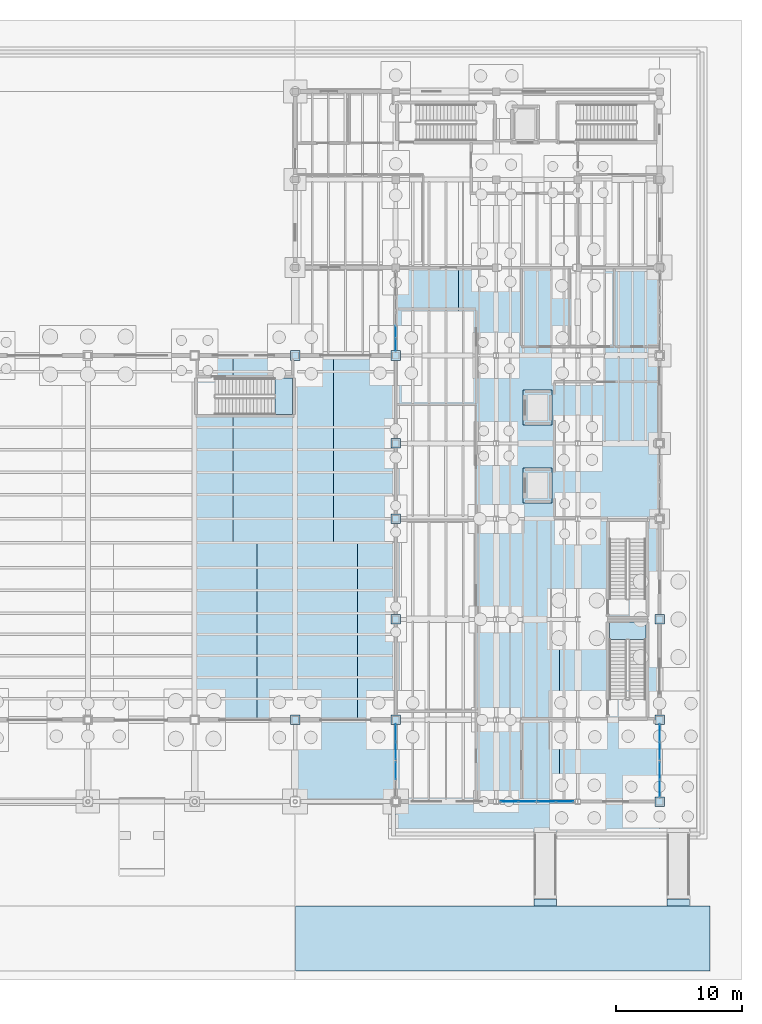
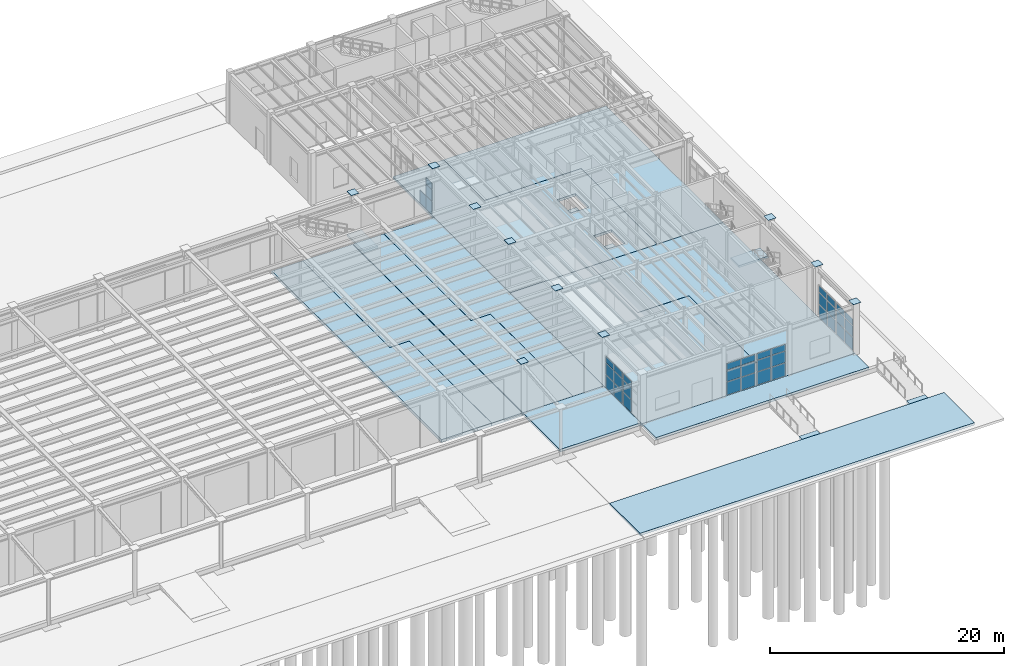
# One storey, part 53 of 86: 47 plates, 17 slabs, 9 elements without a shape of their own.
"""IFC4 building model written with IfcOpenShell, lengths in metres."""

import ifcopenshell
import ifcopenshell.guid

model = None  # the IFC model being written
_history = None  # IfcOwnerHistory: only IFC2X3 demands one
_inside = {}  # id of a spatial element -> (the spatial element, [elements in it])
_under = {}  # id of a project, library or spatial element -> (it, [spatial elements below it])
_declared = {}  # id of a project -> (the project, [libraries it declares])
_typed = {}  # id of a type object -> (the type object, [elements of that type])
_made_of = {}  # id of a material, layer set ... -> (it, [elements and type objects made of it])


def new_model(schema):
    """Start an empty IFC model of exactly this schema.

    Asked for "IFC4X3", IfcOpenShell would pick the latest addendum, in which some entities
    have other attributes; the version numbers below select the first issue.
    IFC2X3 requires an IfcOwnerHistory on every rooted entity: one is made here for all.
    """
    global model, _history
    if schema == "IFC4X3":
        model = ifcopenshell.file(schema_version=(4, 3, 0, 0))
    else:
        model = ifcopenshell.file(schema=schema)
    _inside.clear()
    _under.clear()
    _declared.clear()
    _typed.clear()
    _made_of.clear()
    _history = None
    if model.schema == "IFC2X3":
        org = make("IfcOrganization", Name="unknown")
        user = make(
            "IfcPersonAndOrganization",
            ThePerson=make("IfcPerson", FamilyName="unknown"),
            TheOrganization=org,
        )
        app = make(
            "IfcApplication",
            ApplicationDeveloper=org,
            Version="unknown",
            ApplicationFullName="unknown",
            ApplicationIdentifier="unknown",
        )
        _history = make(
            "IfcOwnerHistory",
            OwningUser=user,
            OwningApplication=app,
            ChangeAction="ADDED",
            CreationDate=0,
        )
    return model


def make(cls, **values):
    """One entity of the class cls with the attributes given. An attribute that is None is left unset."""
    return model.create_entity(
        cls, **{name: value for name, value in values.items() if value is not None}
    )


def rooted(cls, **values):
    """An entity with a GlobalId (a new one), such as an element, a storey or a relation."""
    return make(cls, GlobalId=ifcopenshell.guid.new(), OwnerHistory=_history, **values)


def si_unit(unit_type, name, prefix=None):
    """IfcSIUnit, for example si_unit("LENGTHUNIT", "METRE", prefix="MILLI")."""
    return make("IfcSIUnit", UnitType=unit_type, Prefix=prefix, Name=name)


def assignment(units):
    """IfcUnitAssignment: the units of a project."""
    return None if units is None else make("IfcUnitAssignment", Units=units)


def point(xyz):
    """IfcCartesianPoint."""
    return None if xyz is None else make("IfcCartesianPoint", Coordinates=xyz)


def direction(xyz):
    """IfcDirection."""
    return None if xyz is None else make("IfcDirection", DirectionRatios=xyz)


def frame(location, z_axis=None, x_axis=None):
    """IfcAxis2Placement3D, a coordinate frame: its origin and axes. An axis left out is left unset."""
    return make(
        "IfcAxis2Placement3D",
        Location=point(location),
        Axis=direction(z_axis),
        RefDirection=direction(x_axis),
    )


def frame_2d(location, x_axis=None):
    """IfcAxis2Placement2D, a coordinate frame in the plane: its origin and x axis."""
    return make(
        "IfcAxis2Placement2D", Location=point(location), RefDirection=direction(x_axis)
    )


def origin():
    """The frame at (0, 0, 0) with its axes left unset."""
    return frame((0.0, 0.0, 0.0))


def origin_2d():
    """The frame at (0, 0) in the plane with its x axis left unset."""
    return frame_2d((0.0, 0.0))


def place(relative_to, where):
    """IfcLocalPlacement: puts the frame where relative to a parent placement (None: the world)."""
    return make(
        "IfcLocalPlacement", PlacementRelTo=relative_to, RelativePlacement=where
    )


def context(
    kind, dimensions, precision=None, world=None, true_north=None, identifier=None
):
    """IfcGeometricRepresentationContext, for example the 3D "Model" context."""
    return make(
        "IfcGeometricRepresentationContext",
        ContextIdentifier=identifier,
        ContextType=kind,
        CoordinateSpaceDimension=dimensions,
        Precision=precision,
        WorldCoordinateSystem=world,
        TrueNorth=true_north,
    )


def subcontext(parent, identifier, kind, view, scale=None):
    """IfcGeometricRepresentationSubContext, for example "Body" below "Model"."""
    return make(
        "IfcGeometricRepresentationSubContext",
        ContextIdentifier=identifier,
        ContextType=kind,
        ParentContext=parent,
        TargetScale=scale,
        TargetView=view,
    )


def project(units=None, contexts=None):
    """IfcProject with its units and contexts."""
    return rooted(
        "IfcProject",
        Name="project",
        RepresentationContexts=contexts,
        UnitsInContext=assignment(units),
    )


def spatial(cls, under=None, at=None, **own):
    """A site, building, storey or space (cls), placed at a placement, below another one or the project."""
    s = rooted(cls, ObjectPlacement=at, **own)
    if under is not None:
        _under.setdefault(under.id(), (under, []))[1].append(s)
    return s


def polyline(points):
    """IfcPolyline through the points."""
    return make("IfcPolyline", Points=[point(p) for p in points])


def profile(cls, at=None, kind="AREA", **sizes):
    """A parametric profile (cls). Its sizes go by their IFC names, for example OverallWidth=200.0."""
    return make(cls, ProfileType=kind, Position=at, **sizes)


def rectangle(**sizes):
    """IfcRectangleProfileDef."""
    return profile("IfcRectangleProfileDef", **sizes)


def outline(outer, holes=None, kind="AREA"):
    """IfcArbitraryClosedProfileDef: a profile drawn as a closed curve; with holes, ...WithVoids."""
    if holes is None:
        return make("IfcArbitraryClosedProfileDef", ProfileType=kind, OuterCurve=outer)
    return make(
        "IfcArbitraryProfileDefWithVoids",
        ProfileType=kind,
        OuterCurve=outer,
        InnerCurves=holes,
    )


def extrude(swept, where, along, depth):
    """IfcExtrudedAreaSolid: the profile swept, set in the frame where, extruded along a direction by depth."""
    return make(
        "IfcExtrudedAreaSolid",
        SweptArea=swept,
        Position=where,
        ExtrudedDirection=direction(along),
        Depth=depth,
    )


def shape(context_of_items, identifier, shape_type, items):
    """IfcShapeRepresentation: the items that make up one representation, for example the "Body"."""
    return make(
        "IfcShapeRepresentation",
        ContextOfItems=context_of_items,
        RepresentationIdentifier=identifier,
        RepresentationType=shape_type,
        Items=items,
    )


def material(Name=None, Category=None):
    """IfcMaterial."""
    return make("IfcMaterial", Name=Name, Category=Category)


def layer(
    of_material, thickness, ventilated=None, Name=None, Category=None, Priority=None
):
    """IfcMaterialLayer: one layer of a wall or slab, of a material (None: an air gap)."""
    return make(
        "IfcMaterialLayer",
        Material=of_material,
        LayerThickness=thickness,
        IsVentilated=ventilated,
        Name=Name,
        Category=Category,
        Priority=Priority,
    )


def layer_set(layers, Name=None):
    """IfcMaterialLayerSet."""
    return make("IfcMaterialLayerSet", MaterialLayers=layers, LayerSetName=Name)


def material_profile(
    of_material, cross_section, Name=None, Category=None, Priority=None
):
    """IfcMaterialProfile: a cross section and its material."""
    return make(
        "IfcMaterialProfile",
        Name=Name,
        Material=of_material,
        Profile=cross_section,
        Priority=Priority,
        Category=Category,
    )


def profile_set(profiles, Name=None, composite=None):
    """IfcMaterialProfileSet."""
    return make(
        "IfcMaterialProfileSet",
        Name=Name,
        MaterialProfiles=profiles,
        CompositeProfile=composite,
    )


def made_of(thing, what):
    """Note that an element or type object is made of a material, layer set ...; save() writes the relation."""
    if what is not None:
        _made_of.setdefault(what.id(), (what, []))[1].append(thing)
    return thing


def type_object(cls, material=None, **own):
    """A type object (cls), such as IfcWallType, which elements share."""
    return made_of(rooted(cls, **own), material)


def element(
    cls,
    number,
    at=None,
    inside=None,
    cuts=None,
    type_object=None,
    material=None,
    context=None,
    identifier="Body",
    shape_type=None,
    held_by="IfcProductDefinitionShape",
    body=None,
    shapes=None,
    **own,
):
    """One element of the class cls, such as IfcWall. Its Tag is "e" and its number.

    at: its placement. inside: the storey or other place that contains it. cuts: it is an
    opening in that element (IfcRelVoidsElement). A single representation is given by context,
    identifier, shape_type and body (its items); several are given by shapes. held_by: the class
    of the entity that holds the representations. save() writes the other relations.
    """
    e = rooted(cls, Tag="e%d" % number, ObjectPlacement=at, **own)
    if body is not None:
        shapes = [shape(context, identifier, shape_type, body)]
    if shapes is not None:
        e.Representation = make(held_by, Representations=shapes)
    if inside is not None:
        _inside.setdefault(inside.id(), (inside, []))[1].append(e)
    if cuts is not None:
        rooted(
            "IfcRelVoidsElement", RelatingBuildingElement=cuts, RelatedOpeningElement=e
        )
    if type_object is not None:
        _typed.setdefault(type_object.id(), (type_object, []))[1].append(e)
    return made_of(e, material)


def aggregate(whole, parts):
    """IfcRelAggregates: a whole, such as a stair, and the parts it consists of."""
    return rooted("IfcRelAggregates", RelatingObject=whole, RelatedObjects=parts)


def save(model, path):
    """Write the relations noted so far, then the file.

    IfcRelAggregates (storeys below a building ...), IfcRelContainedInSpatialStructure (elements
    in a storey), IfcRelDefinesByType, IfcRelAssociatesMaterial and IfcRelDeclares: one each for
    every whole, place, type object, material and project.
    """
    for whole, parts in _under.values():
        aggregate(whole, parts)
    for where, things in _inside.values():
        rooted(
            "IfcRelContainedInSpatialStructure",
            RelatedElements=things,
            RelatingStructure=where,
        )
    for kind, things in _typed.values():
        rooted("IfcRelDefinesByType", RelatedObjects=things, RelatingType=kind)
    for what, things in _made_of.values():
        rooted("IfcRelAssociatesMaterial", RelatedObjects=things, RelatingMaterial=what)
    for by, libraries in _declared.values():
        rooted("IfcRelDeclares", RelatingContext=by, RelatedDefinitions=libraries)
    model.write(path)


model = new_model("IFC4")

# Units and contexts
model_context = context("Model", 3, precision=1e-05, world=origin(), true_north=direction((0.0, 1.0)))
body_context = subcontext(model_context, "Body", "Model", "MODEL_VIEW")
ifc_project = project(units=[si_unit("LENGTHUNIT", "METRE"), si_unit("AREAUNIT", "SQUARE_METRE"), si_unit("VOLUMEUNIT", "CUBIC_METRE"), si_unit("PLANEANGLEUNIT", "RADIAN"), si_unit("MASSUNIT", "GRAM", prefix="KILO"), si_unit("THERMODYNAMICTEMPERATUREUNIT", "KELVIN"), si_unit("POWERUNIT", "WATT")], contexts=[model_context])

# Site, building, storey
site_placement = place(None, origin())
site = spatial("IfcSite", under=ifc_project, at=site_placement, CompositionType="ELEMENT")
building_placement = place(site_placement, origin())
building = spatial("IfcBuilding", under=site, at=building_placement, Name="Zhenchuan Central Fire Station", CompositionType="ELEMENT")
storey_placement = place(building_placement, frame((0.0, 0.0, 0.449951171875)))
storey = spatial("IfcBuildingStorey", under=building, at=storey_placement, Name="L01", CompositionType="ELEMENT", Elevation=0.449951171875)

# Curtain wall, plates
ifc_material_1 = material(Name="Anodised aluminium and low-E glazing", Category="aluminium")
curtain_wall_type_1 = type_object("IfcCurtainWallType", Name="CW-MOD-02", PredefinedType="USERDEFINED", material=ifc_material_1)
curtain_wall_1_placement = place(storey_placement, origin())
curtain_wall_1 = element("IfcCurtainWall", 1, at=curtain_wall_1_placement, inside=storey, type_object=curtain_wall_type_1, Name="L01 Unitised Curtain Wall 072", ObjectType="UNITISED GLAZING", PredefinedType="USERDEFINED")
ifc_material_2 = material(Name="Laminated low-E double glazing", Category="glass")
ifc_layer_1 = layer(ifc_material_2, 0.011962890625, Name="Laminated low-E double glazing", Category="glass")
ifc_layer_set_1 = layer_set([ifc_layer_1], Name="Laminated low-E double glazing")
plate_type_1 = type_object("IfcPlateType", Name="CW-PNL12", PredefinedType="CURTAIN_PANEL", material=ifc_layer_set_1)
plate_1_placement = place(storey_placement, frame((149.044189453125, 0.0, 0.06103515625), z_axis=(0.0, 0.0, 1.0), x_axis=(1.0, 0.0, 0.0)))
plate_1 = element("IfcPlate", 2, at=plate_1_placement, type_object=plate_type_1, Name="CW-02 panel 1.1", PredefinedType="CURTAIN_PANEL", context=body_context, shape_type="SweptSolid", body=[
    extrude(rectangle(XDim=1.3583984375, YDim=0.011962890625, at=origin_2d()), origin(), (0.0, 0.0, 1.0), 1.33447265625),
])
plate_2_placement = place(storey_placement, frame((149.044189453125, 0.0, 1.46044921875), z_axis=(0.0, 0.0, 1.0), x_axis=(1.0, 0.0, 0.0)))
plate_2 = element("IfcPlate", 3, at=plate_2_placement, type_object=plate_type_1, Name="CW-02 panel 1.2", PredefinedType="CURTAIN_PANEL", context=body_context, shape_type="SweptSolid", body=[
    extrude(rectangle(XDim=1.3583984375, YDim=0.011962890625, at=origin_2d()), origin(), (0.0, 0.0, 1.0), 1.158935546875),
])
plate_3_placement = place(storey_placement, frame((149.044189453125, 0.0, 2.6845703125), z_axis=(0.0, 0.0, 1.0), x_axis=(1.0, 0.0, 0.0)))
plate_3 = element("IfcPlate", 4, at=plate_3_placement, type_object=plate_type_1, Name="CW-02 panel 1.3", PredefinedType="CURTAIN_PANEL", context=body_context, shape_type="SweptSolid", body=[
    extrude(rectangle(XDim=1.3583984375, YDim=0.011962890625, at=origin_2d()), origin(), (0.0, 0.0, 1.0), 0.650390625),
])
plate_4_placement = place(storey_placement, frame((150.4677734375, 0.0, 0.06103515625), z_axis=(0.0, 0.0, 1.0), x_axis=(1.0, 0.0, 0.0)))
plate_4 = element("IfcPlate", 5, at=plate_4_placement, type_object=plate_type_1, Name="CW-02 panel 2.1", PredefinedType="CURTAIN_PANEL", context=body_context, shape_type="SweptSolid", body=[
    extrude(rectangle(XDim=1.3583984375, YDim=0.011962890625, at=origin_2d()), origin(), (0.0, 0.0, 1.0), 1.33447265625),
])
plate_5_placement = place(storey_placement, frame((150.4677734375, 0.0, 1.46044921875), z_axis=(0.0, 0.0, 1.0), x_axis=(1.0, 0.0, 0.0)))
plate_5 = element("IfcPlate", 6, at=plate_5_placement, type_object=plate_type_1, Name="CW-02 panel 2.2", PredefinedType="CURTAIN_PANEL", context=body_context, shape_type="SweptSolid", body=[
    extrude(rectangle(XDim=1.3583984375, YDim=0.011962890625, at=origin_2d()), origin(), (0.0, 0.0, 1.0), 1.158935546875),
])
plate_6_placement = place(storey_placement, frame((150.4677734375, 0.0, 2.6845703125), z_axis=(0.0, 0.0, 1.0), x_axis=(1.0, 0.0, 0.0)))
plate_6 = element("IfcPlate", 7, at=plate_6_placement, type_object=plate_type_1, Name="CW-02 panel 2.3", PredefinedType="CURTAIN_PANEL", context=body_context, shape_type="SweptSolid", body=[
    extrude(rectangle(XDim=1.3583984375, YDim=0.011962890625, at=origin_2d()), origin(), (0.0, 0.0, 1.0), 0.650390625),
])
aggregate(curtain_wall_1, [plate_1, plate_2, plate_3, plate_4, plate_5, plate_6])

curtain_wall_type_2 = type_object("IfcCurtainWallType", Name="CW-MOD-03", PredefinedType="USERDEFINED", material=ifc_material_1)
curtain_wall_2_placement = place(storey_placement, origin())
curtain_wall_2 = element("IfcCurtainWall", 8, at=curtain_wall_2_placement, inside=storey, type_object=curtain_wall_type_2, Name="L01 Unitised Curtain Wall 073", ObjectType="UNITISED GLAZING", PredefinedType="USERDEFINED")
plate_7_placement = place(storey_placement, frame((152.0322265625, 0.0, 0.06103515625), z_axis=(0.0, 0.0, 1.0), x_axis=(1.0, 0.0, 0.0)))
plate_7 = element("IfcPlate", 9, at=plate_7_placement, type_object=plate_type_1, Name="CW-03 panel 1.1", PredefinedType="CURTAIN_PANEL", context=body_context, shape_type="SweptSolid", body=[
    extrude(rectangle(XDim=1.3583984375, YDim=0.011962890625, at=origin_2d()), origin(), (0.0, 0.0, 1.0), 1.33447265625),
])
plate_8_placement = place(storey_placement, frame((152.0322265625, 0.0, 1.46044921875), z_axis=(0.0, 0.0, 1.0), x_axis=(1.0, 0.0, 0.0)))
plate_8 = element("IfcPlate", 10, at=plate_8_placement, type_object=plate_type_1, Name="CW-03 panel 1.2", PredefinedType="CURTAIN_PANEL", context=body_context, shape_type="SweptSolid", body=[
    extrude(rectangle(XDim=1.3583984375, YDim=0.011962890625, at=origin_2d()), origin(), (0.0, 0.0, 1.0), 1.158935546875),
])
plate_9_placement = place(storey_placement, frame((152.0322265625, 0.0, 2.6845703125), z_axis=(0.0, 0.0, 1.0), x_axis=(1.0, 0.0, 0.0)))
plate_9 = element("IfcPlate", 11, at=plate_9_placement, type_object=plate_type_1, Name="CW-03 panel 1.3", PredefinedType="CURTAIN_PANEL", context=body_context, shape_type="SweptSolid", body=[
    extrude(rectangle(XDim=1.3583984375, YDim=0.011962890625, at=origin_2d()), origin(), (0.0, 0.0, 1.0), 0.650390625),
])
plate_10_placement = place(storey_placement, frame((153.455810546875, 0.0, 0.06103515625), z_axis=(0.0, 0.0, 1.0), x_axis=(1.0, 0.0, 0.0)))
plate_10 = element("IfcPlate", 12, at=plate_10_placement, type_object=plate_type_1, Name="CW-03 panel 2.1", PredefinedType="CURTAIN_PANEL", context=body_context, shape_type="SweptSolid", body=[
    extrude(rectangle(XDim=1.3583984375, YDim=0.011962890625, at=origin_2d()), origin(), (0.0, 0.0, 1.0), 1.33447265625),
])
plate_11_placement = place(storey_placement, frame((153.455810546875, 0.0, 1.46044921875), z_axis=(0.0, 0.0, 1.0), x_axis=(1.0, 0.0, 0.0)))
plate_11 = element("IfcPlate", 13, at=plate_11_placement, type_object=plate_type_1, Name="CW-03 panel 2.2", PredefinedType="CURTAIN_PANEL", context=body_context, shape_type="SweptSolid", body=[
    extrude(rectangle(XDim=1.3583984375, YDim=0.011962890625, at=origin_2d()), origin(), (0.0, 0.0, 1.0), 1.158935546875),
])
plate_12_placement = place(storey_placement, frame((153.455810546875, 0.0, 2.6845703125), z_axis=(0.0, 0.0, 1.0), x_axis=(1.0, 0.0, 0.0)))
plate_12 = element("IfcPlate", 14, at=plate_12_placement, type_object=plate_type_1, Name="CW-03 panel 2.3", PredefinedType="CURTAIN_PANEL", context=body_context, shape_type="SweptSolid", body=[
    extrude(rectangle(XDim=1.3583984375, YDim=0.011962890625, at=origin_2d()), origin(), (0.0, 0.0, 1.0), 0.650390625),
])
aggregate(curtain_wall_2, [plate_7, plate_8, plate_9, plate_10, plate_11, plate_12])

curtain_wall_type_3 = type_object("IfcCurtainWallType", Name="CW-MOD-01", PredefinedType="USERDEFINED", material=ifc_material_1)
curtain_wall_3_placement = place(storey_placement, origin())
curtain_wall_3 = element("IfcCurtainWall", 15, at=curtain_wall_3_placement, inside=storey, type_object=curtain_wall_type_3, Name="L01 Unitised Curtain Wall 074", ObjectType="UNITISED GLAZING", PredefinedType="USERDEFINED")
plate_13_placement = place(storey_placement, frame((161.0, 1.044189453125, 0.06103515625), z_axis=(0.0, 0.0, 1.0), x_axis=(0.0, 1.0, 0.0)))
plate_13 = element("IfcPlate", 16, at=plate_13_placement, type_object=plate_type_1, Name="CW-01 panel 1.1", PredefinedType="CURTAIN_PANEL", context=body_context, shape_type="SweptSolid", body=[
    extrude(rectangle(XDim=1.3583984375, YDim=0.011962890625, at=origin_2d()), origin(), (0.0, 0.0, 1.0), 1.33447265625),
])
plate_14_placement = place(storey_placement, frame((161.0, 1.044189453125, 1.46044921875), z_axis=(0.0, 0.0, 1.0), x_axis=(0.0, 1.0, 0.0)))
plate_14 = element("IfcPlate", 17, at=plate_14_placement, type_object=plate_type_1, Name="CW-01 panel 1.2", PredefinedType="CURTAIN_PANEL", context=body_context, shape_type="SweptSolid", body=[
    extrude(rectangle(XDim=1.3583984375, YDim=0.011962890625, at=origin_2d()), origin(), (0.0, 0.0, 1.0), 1.158935546875),
])
plate_15_placement = place(storey_placement, frame((161.0, 1.044189453125, 2.6845703125), z_axis=(0.0, 0.0, 1.0), x_axis=(0.0, 1.0, 0.0)))
plate_15 = element("IfcPlate", 18, at=plate_15_placement, type_object=plate_type_1, Name="CW-01 panel 1.3", PredefinedType="CURTAIN_PANEL", context=body_context, shape_type="SweptSolid", body=[
    extrude(rectangle(XDim=1.3583984375, YDim=0.011962890625, at=origin_2d()), origin(), (0.0, 0.0, 1.0), 0.650390625),
])
plate_16_placement = place(storey_placement, frame((161.0, 2.4677734375, 0.06103515625), z_axis=(0.0, 0.0, 1.0), x_axis=(0.0, 1.0, 0.0)))
plate_16 = element("IfcPlate", 19, at=plate_16_placement, type_object=plate_type_1, Name="CW-01 panel 2.1", PredefinedType="CURTAIN_PANEL", context=body_context, shape_type="SweptSolid", body=[
    extrude(rectangle(XDim=1.3583984375, YDim=0.011962890625, at=origin_2d()), origin(), (0.0, 0.0, 1.0), 1.33447265625),
])
plate_17_placement = place(storey_placement, frame((161.0, 2.4677734375, 1.46044921875), z_axis=(0.0, 0.0, 1.0), x_axis=(0.0, 1.0, 0.0)))
plate_17 = element("IfcPlate", 20, at=plate_17_placement, type_object=plate_type_1, Name="CW-01 panel 2.2", PredefinedType="CURTAIN_PANEL", context=body_context, shape_type="SweptSolid", body=[
    extrude(rectangle(XDim=1.3583984375, YDim=0.011962890625, at=origin_2d()), origin(), (0.0, 0.0, 1.0), 1.158935546875),
])
plate_18_placement = place(storey_placement, frame((161.0, 2.4677734375, 2.6845703125), z_axis=(0.0, 0.0, 1.0), x_axis=(0.0, 1.0, 0.0)))
plate_18 = element("IfcPlate", 21, at=plate_18_placement, type_object=plate_type_1, Name="CW-01 panel 2.3", PredefinedType="CURTAIN_PANEL", context=body_context, shape_type="SweptSolid", body=[
    extrude(rectangle(XDim=1.3583984375, YDim=0.011962890625, at=origin_2d()), origin(), (0.0, 0.0, 1.0), 0.650390625),
])
aggregate(curtain_wall_3, [plate_13, plate_14, plate_15, plate_16, plate_17, plate_18])

curtain_wall_4_placement = place(storey_placement, origin())
curtain_wall_4 = element("IfcCurtainWall", 22, at=curtain_wall_4_placement, inside=storey, type_object=curtain_wall_type_1, Name="L01 Unitised Curtain Wall 075", ObjectType="UNITISED GLAZING", PredefinedType="USERDEFINED")
plate_19_placement = place(storey_placement, frame((161.0, 4.0322265625, 0.06103515625), z_axis=(0.0, 0.0, 1.0), x_axis=(0.0, 1.0, 0.0)))
plate_19 = element("IfcPlate", 23, at=plate_19_placement, type_object=plate_type_1, Name="CW-02 panel 1.1", PredefinedType="CURTAIN_PANEL", context=body_context, shape_type="SweptSolid", body=[
    extrude(rectangle(XDim=1.3583984375, YDim=0.011962890625, at=origin_2d()), origin(), (0.0, 0.0, 1.0), 1.33447265625),
])
plate_20_placement = place(storey_placement, frame((161.0, 4.0322265625, 1.46044921875), z_axis=(0.0, 0.0, 1.0), x_axis=(0.0, 1.0, 0.0)))
plate_20 = element("IfcPlate", 24, at=plate_20_placement, type_object=plate_type_1, Name="CW-02 panel 1.2", PredefinedType="CURTAIN_PANEL", context=body_context, shape_type="SweptSolid", body=[
    extrude(rectangle(XDim=1.3583984375, YDim=0.011962890625, at=origin_2d()), origin(), (0.0, 0.0, 1.0), 1.158935546875),
])
plate_21_placement = place(storey_placement, frame((161.0, 4.0322265625, 2.6845703125), z_axis=(0.0, 0.0, 1.0), x_axis=(0.0, 1.0, 0.0)))
plate_21 = element("IfcPlate", 25, at=plate_21_placement, type_object=plate_type_1, Name="CW-02 panel 1.3", PredefinedType="CURTAIN_PANEL", context=body_context, shape_type="SweptSolid", body=[
    extrude(rectangle(XDim=1.3583984375, YDim=0.011962890625, at=origin_2d()), origin(), (0.0, 0.0, 1.0), 0.650390625),
])
plate_22_placement = place(storey_placement, frame((161.0, 5.455810546875, 0.06103515625), z_axis=(0.0, 0.0, 1.0), x_axis=(0.0, 1.0, 0.0)))
plate_22 = element("IfcPlate", 26, at=plate_22_placement, type_object=plate_type_1, Name="CW-02 panel 2.1", PredefinedType="CURTAIN_PANEL", context=body_context, shape_type="SweptSolid", body=[
    extrude(rectangle(XDim=1.3583984375, YDim=0.011962890625, at=origin_2d()), origin(), (0.0, 0.0, 1.0), 1.33447265625),
])
plate_23_placement = place(storey_placement, frame((161.0, 5.455810546875, 1.46044921875), z_axis=(0.0, 0.0, 1.0), x_axis=(0.0, 1.0, 0.0)))
plate_23 = element("IfcPlate", 27, at=plate_23_placement, type_object=plate_type_1, Name="CW-02 panel 2.2", PredefinedType="CURTAIN_PANEL", context=body_context, shape_type="SweptSolid", body=[
    extrude(rectangle(XDim=1.3583984375, YDim=0.011962890625, at=origin_2d()), origin(), (0.0, 0.0, 1.0), 1.158935546875),
])
plate_24_placement = place(storey_placement, frame((161.0, 5.455810546875, 2.6845703125), z_axis=(0.0, 0.0, 1.0), x_axis=(0.0, 1.0, 0.0)))
plate_24 = element("IfcPlate", 28, at=plate_24_placement, type_object=plate_type_1, Name="CW-02 panel 2.3", PredefinedType="CURTAIN_PANEL", context=body_context, shape_type="SweptSolid", body=[
    extrude(rectangle(XDim=1.3583984375, YDim=0.011962890625, at=origin_2d()), origin(), (0.0, 0.0, 1.0), 0.650390625),
])
aggregate(curtain_wall_4, [plate_19, plate_20, plate_21, plate_22, plate_23, plate_24])

curtain_wall_type_4 = type_object("IfcCurtainWallType", Name="CW-MOD-09", PredefinedType="USERDEFINED", material=ifc_material_1)
curtain_wall_5_placement = place(storey_placement, origin())
curtain_wall_5 = element("IfcCurtainWall", 29, at=curtain_wall_5_placement, inside=storey, type_object=curtain_wall_type_4, Name="L01 Unitised Curtain Wall 080", ObjectType="UNITISED GLAZING", PredefinedType="USERDEFINED")
plate_25_placement = place(storey_placement, frame((140.0, 2.4677734375, 0.06103515625), z_axis=(0.0, 0.0, 1.0), x_axis=(0.0, 1.0, 0.0)))
plate_25 = element("IfcPlate", 30, at=plate_25_placement, type_object=plate_type_1, Name="CW-09 panel 2.1", PredefinedType="CURTAIN_PANEL", context=body_context, shape_type="SweptSolid", body=[
    extrude(rectangle(XDim=1.3583984375, YDim=0.011962890625, at=origin_2d()), origin(), (0.0, 0.0, 1.0), 1.33447265625),
])
plate_26_placement = place(storey_placement, frame((140.0, 2.4677734375, 1.46044921875), z_axis=(0.0, 0.0, 1.0), x_axis=(0.0, 1.0, 0.0)))
plate_26 = element("IfcPlate", 31, at=plate_26_placement, type_object=plate_type_1, Name="CW-09 panel 2.2", PredefinedType="CURTAIN_PANEL", context=body_context, shape_type="SweptSolid", body=[
    extrude(rectangle(XDim=1.3583984375, YDim=0.011962890625, at=origin_2d()), origin(), (0.0, 0.0, 1.0), 1.158935546875),
])
plate_27_placement = place(storey_placement, frame((140.0, 2.4677734375, 2.6845703125), z_axis=(0.0, 0.0, 1.0), x_axis=(0.0, 1.0, 0.0)))
plate_27 = element("IfcPlate", 32, at=plate_27_placement, type_object=plate_type_1, Name="CW-09 panel 2.3", PredefinedType="CURTAIN_PANEL", context=body_context, shape_type="SweptSolid", body=[
    extrude(rectangle(XDim=1.3583984375, YDim=0.011962890625, at=origin_2d()), origin(), (0.0, 0.0, 1.0), 0.650390625),
])
aggregate(curtain_wall_5, [plate_25, plate_26, plate_27])

curtain_wall_type_5 = type_object("IfcCurtainWallType", Name="CW-MOD-10", PredefinedType="USERDEFINED", material=ifc_material_1)
curtain_wall_6_placement = place(storey_placement, origin())
curtain_wall_6 = element("IfcCurtainWall", 33, at=curtain_wall_6_placement, inside=storey, type_object=curtain_wall_type_5, Name="L01 Unitised Curtain Wall 081", ObjectType="UNITISED GLAZING", PredefinedType="USERDEFINED")
plate_28_placement = place(storey_placement, frame((140.0, 4.0322265625, 0.06103515625), z_axis=(0.0, 0.0, 1.0), x_axis=(0.0, 1.0, 0.0)))
plate_28 = element("IfcPlate", 34, at=plate_28_placement, type_object=plate_type_1, Name="CW-10 panel 1.1", PredefinedType="CURTAIN_PANEL", context=body_context, shape_type="SweptSolid", body=[
    extrude(rectangle(XDim=1.3583984375, YDim=0.011962890625, at=origin_2d()), origin(), (0.0, 0.0, 1.0), 1.33447265625),
])
plate_29_placement = place(storey_placement, frame((140.0, 4.0322265625, 1.46044921875), z_axis=(0.0, 0.0, 1.0), x_axis=(0.0, 1.0, 0.0)))
plate_29 = element("IfcPlate", 35, at=plate_29_placement, type_object=plate_type_1, Name="CW-10 panel 1.2", PredefinedType="CURTAIN_PANEL", context=body_context, shape_type="SweptSolid", body=[
    extrude(rectangle(XDim=1.3583984375, YDim=0.011962890625, at=origin_2d()), origin(), (0.0, 0.0, 1.0), 1.158935546875),
])
plate_30_placement = place(storey_placement, frame((140.0, 4.0322265625, 2.6845703125), z_axis=(0.0, 0.0, 1.0), x_axis=(0.0, 1.0, 0.0)))
plate_30 = element("IfcPlate", 36, at=plate_30_placement, type_object=plate_type_1, Name="CW-10 panel 1.3", PredefinedType="CURTAIN_PANEL", context=body_context, shape_type="SweptSolid", body=[
    extrude(rectangle(XDim=1.3583984375, YDim=0.011962890625, at=origin_2d()), origin(), (0.0, 0.0, 1.0), 0.650390625),
])
plate_31_placement = place(storey_placement, frame((140.0, 5.455810546875, 0.06103515625), z_axis=(0.0, 0.0, 1.0), x_axis=(0.0, 1.0, 0.0)))
plate_31 = element("IfcPlate", 37, at=plate_31_placement, type_object=plate_type_1, Name="CW-10 panel 2.1", PredefinedType="CURTAIN_PANEL", context=body_context, shape_type="SweptSolid", body=[
    extrude(rectangle(XDim=1.3583984375, YDim=0.011962890625, at=origin_2d()), origin(), (0.0, 0.0, 1.0), 1.33447265625),
])
plate_32_placement = place(storey_placement, frame((140.0, 5.455810546875, 1.46044921875), z_axis=(0.0, 0.0, 1.0), x_axis=(0.0, 1.0, 0.0)))
plate_32 = element("IfcPlate", 38, at=plate_32_placement, type_object=plate_type_1, Name="CW-10 panel 2.2", PredefinedType="CURTAIN_PANEL", context=body_context, shape_type="SweptSolid", body=[
    extrude(rectangle(XDim=1.3583984375, YDim=0.011962890625, at=origin_2d()), origin(), (0.0, 0.0, 1.0), 1.158935546875),
])
plate_33_placement = place(storey_placement, frame((140.0, 5.455810546875, 2.6845703125), z_axis=(0.0, 0.0, 1.0), x_axis=(0.0, 1.0, 0.0)))
plate_33 = element("IfcPlate", 39, at=plate_33_placement, type_object=plate_type_1, Name="CW-10 panel 2.3", PredefinedType="CURTAIN_PANEL", context=body_context, shape_type="SweptSolid", body=[
    extrude(rectangle(XDim=1.3583984375, YDim=0.011962890625, at=origin_2d()), origin(), (0.0, 0.0, 1.0), 0.650390625),
])
aggregate(curtain_wall_6, [plate_28, plate_29, plate_30, plate_31, plate_32, plate_33])

curtain_wall_7_placement = place(storey_placement, origin())
curtain_wall_7 = element("IfcCurtainWall", 40, at=curtain_wall_7_placement, inside=storey, type_object=curtain_wall_type_5, Name="L01 Unitised Curtain Wall 082", ObjectType="UNITISED GLAZING", PredefinedType="USERDEFINED")
plate_34_placement = place(storey_placement, frame((140.0, 36.34326171875, 0.06103515625), z_axis=(0.0, 0.0, 1.0), x_axis=(0.0, 1.0, 0.0)))
plate_34 = element("IfcPlate", 41, at=plate_34_placement, type_object=plate_type_1, Name="CW-10 panel 1.1", PredefinedType="CURTAIN_PANEL", context=body_context, shape_type="SweptSolid", body=[
    extrude(rectangle(XDim=0.95654296875, YDim=0.011962890625, at=origin_2d()), origin(), (0.0, 0.0, 1.0), 1.33447265625),
])
plate_35_placement = place(storey_placement, frame((140.0, 36.34326171875, 1.46044921875), z_axis=(0.0, 0.0, 1.0), x_axis=(0.0, 1.0, 0.0)))
plate_35 = element("IfcPlate", 42, at=plate_35_placement, type_object=plate_type_1, Name="CW-10 panel 1.2", PredefinedType="CURTAIN_PANEL", context=body_context, shape_type="SweptSolid", body=[
    extrude(rectangle(XDim=0.95654296875, YDim=0.011962890625, at=origin_2d()), origin(), (0.0, 0.0, 1.0), 1.158935546875),
])
plate_36_placement = place(storey_placement, frame((140.0, 36.34326171875, 2.6845703125), z_axis=(0.0, 0.0, 1.0), x_axis=(0.0, 1.0, 0.0)))
plate_36 = element("IfcPlate", 43, at=plate_36_placement, type_object=plate_type_1, Name="CW-10 panel 1.3", PredefinedType="CURTAIN_PANEL", context=body_context, shape_type="SweptSolid", body=[
    extrude(rectangle(XDim=0.95654296875, YDim=0.011962890625, at=origin_2d()), origin(), (0.0, 0.0, 1.0), 0.650390625),
])
plate_37_placement = place(storey_placement, frame((140.0, 37.381103515625, 0.06103515625), z_axis=(0.0, 0.0, 1.0), x_axis=(0.0, 1.0, 0.0)))
plate_37 = element("IfcPlate", 44, at=plate_37_placement, type_object=plate_type_1, Name="CW-10 panel 2.1", PredefinedType="CURTAIN_PANEL", context=body_context, shape_type="SweptSolid", body=[
    extrude(rectangle(XDim=0.989013671875, YDim=0.011962890625, at=origin_2d()), origin(), (0.0, 0.0, 1.0), 1.33447265625),
])
aggregate(curtain_wall_7, [plate_34, plate_35, plate_36, plate_37])

# Plates
ifc_material_3 = material(Name="Steel Q355B", Category="steel")
ifc_material_profile_1 = material_profile(ifc_material_3, rectangle(XDim=0.760009765625, YDim=0.760009765625, at=origin_2d()), Name="PL 760x760x40")
ifc_profile_set_1 = profile_set([ifc_material_profile_1], Name="Steel Q355B")
plate_type_2 = type_object("IfcPlateType", Name="PL-BAS40", PredefinedType="SHEET", material=ifc_profile_set_1)
for number, where, z_axis, x_axis, name in (
    (45, (161.0, 0.0, 5.39599609375), (0.0, 0.0, 1.0), (1.0, 0.0, 0.0), "L01 Column 126 end cap plate B"),
    (46, (161.0, 6.5, 5.39599609375), (0.0, 0.0, 1.0), (1.0, 0.0, 0.0), "L01 Column 127 end cap plate B"),
    (47, (161.0, 14.5, 5.39599609375), (0.0, 0.0, 1.0), (1.0, 0.0, 0.0), "L01 Column 128 end cap plate B"),
):
    element("IfcPlate", number, at=place(storey_placement, frame(where, z_axis=z_axis, x_axis=x_axis)), inside=storey, type_object=plate_type_2, Name=name, PredefinedType="SHEET", context=body_context, shape_type="SweptSolid", body=[
        extrude(rectangle(XDim=0.760009765625, YDim=0.760009765625, at=origin_2d()), origin(), (0.0, 0.0, 1.0), 0.02001953125),
    ])
ifc_material_profile_2 = material_profile(ifc_material_3, rectangle(XDim=0.760009765625, YDim=0.760009765625, at=origin_2d()), Name="PL 760x760x40")
ifc_profile_set_2 = profile_set([ifc_material_profile_2], Name="Steel Q355B")
plate_type_3 = type_object("IfcPlateType", Name="PL-BAS40-INT", PredefinedType="SHEET", material=ifc_profile_set_2)
for number, where, z_axis, x_axis, name in (
    (48, (132.0, 6.5, 5.39599609375), (0.0, 0.0, 1.0), (1.0, 0.0, 0.0), "L01 Column 095 end cap plate B"),
    (49, (132.0, 35.5, 5.39599609375), (0.0, 0.0, 1.0), (1.0, 0.0, 0.0), "L01 Column 096 end cap plate B"),
    (50, (140.0, 6.5, 5.39599609375), (0.0, 0.0, 1.0), (1.0, 0.0, 0.0), "L01 Column 101 end cap plate B"),
    (51, (140.0, 14.5, 5.39599609375), (0.0, 0.0, 1.0), (1.0, 0.0, 0.0), "L01 Column 102 end cap plate B"),
    (52, (140.0, 22.5, 5.39599609375), (0.0, 0.0, 1.0), (1.0, 0.0, 0.0), "L01 Column 103 end cap plate B"),
    (53, (140.0, 28.5, 5.39599609375), (0.0, 0.0, 1.0), (1.0, 0.0, 0.0), "L01 Column 104 end cap plate B"),
    (54, (140.0, 35.5, 5.39599609375), (0.0, 0.0, 1.0), (1.0, 0.0, 0.0), "L01 Column 105 end cap plate B"),
):
    element("IfcPlate", number, at=place(storey_placement, frame(where, z_axis=z_axis, x_axis=x_axis)), inside=storey, type_object=plate_type_3, Name=name, PredefinedType="SHEET", context=body_context, shape_type="SweptSolid", body=[
        extrude(rectangle(XDim=0.760009765625, YDim=0.760009765625, at=origin_2d()), origin(), (0.0, 0.0, 1.0), 0.02001953125),
    ])

# Slabs
ifc_material_4 = material(Name="Concrete C35/45", Category="concrete")
ifc_layer_2 = layer(ifc_material_4, 0.25, Name="Concrete C35/45", Category="concrete")
ifc_layer_set_2 = layer_set([ifc_layer_2], Name="Concrete C35/45")
slab_type_1 = type_object("IfcSlabType", Name="SL-BASE250", PredefinedType="BASESLAB", material=ifc_layer_set_2)
slab_1_placement = place(storey_placement, frame((0.0, 0.0, -0.25)))
element("IfcSlab", 55, at=slab_1_placement, inside=storey, type_object=slab_type_1, Name="L01 Headquarters South Plinth Panel A", PredefinedType="BASESLAB", context=body_context, shape_type="SweptSolid", body=[
    extrude(outline(polyline([(140.0, 0.0), (153.01708984375, 0.0), (153.01708984375, 14.4970703125), (147.97705078125, 14.4970703125), (147.97705078125, 22.5), (140.0, 22.5), (140.0, 0.0)])), origin(), (0.0, 0.0, 1.0), 0.25),
])
slab_2_placement = place(storey_placement, frame((0.0, 0.0, -0.25)))
element("IfcSlab", 56, at=slab_2_placement, inside=storey, type_object=slab_type_1, Name="L01 Headquarters South Plinth Panel B", PredefinedType="BASESLAB", context=body_context, shape_type="SweptSolid", body=[
    extrude(outline(polyline([(153.02294921875, 0.0), (161.0, 0.0), (161.0, 22.5), (147.98291015625, 22.5), (147.98291015625, 14.5029296875), (153.02294921875, 14.5029296875), (153.02294921875, 0.0)])), origin(), (0.0, 0.0, 1.0), 0.25),
])
slab_3_placement = place(storey_placement, frame((0.0, 0.0, -0.25)))
element("IfcSlab", 57, at=slab_3_placement, inside=storey, type_object=slab_type_1, Name="L01 Headquarters North Plinth Panel A", PredefinedType="BASESLAB", context=body_context, shape_type="SweptSolid", body=[
    extrude(outline(polyline([(140.0, 22.5), (154.4970703125, 22.5), (154.4970703125, 35.4970703125), (144.9970703125, 35.4970703125), (144.9970703125, 42.5), (140.0, 42.5), (140.0, 22.5)]), holes=[polyline([(150.39990234375, 24.0), (152.199951171875, 24.0), (152.199951171875, 26.300048828125), (150.39990234375, 26.300048828125), (150.39990234375, 24.0)]), polyline([(150.39990234375, 30.199951171875), (152.199951171875, 30.199951171875), (152.199951171875, 32.5), (150.39990234375, 32.5), (150.39990234375, 30.199951171875)])]), origin(), (0.0, 0.0, 1.0), 0.25),
])
slab_4_placement = place(storey_placement, frame((0.0, 0.0, -0.25)))
element("IfcSlab", 58, at=slab_4_placement, inside=storey, type_object=slab_type_1, Name="L01 Headquarters North Plinth Panel B", PredefinedType="BASESLAB", context=body_context, shape_type="SweptSolid", body=[
    extrude(outline(polyline([(154.5029296875, 22.5), (161.0, 22.5), (161.0, 42.5), (145.0029296875, 42.5), (145.0029296875, 35.5029296875), (154.5029296875, 35.5029296875), (154.5029296875, 22.5)])), origin(), (0.0, 0.0, 1.0), 0.25),
])
ifc_layer_3 = layer(ifc_material_4, 0.25, Name="Concrete C35/45", Category="concrete")
ifc_layer_set_3 = layer_set([ifc_layer_3], Name="Concrete C35/45")
slab_type_2 = type_object("IfcSlabType", Name="SL-BASE250-EXT", PredefinedType="BASESLAB", material=ifc_layer_set_3)
slab_5_placement = place(storey_placement, frame((0.0, 0.0, -1.89990234375)))
element("IfcSlab", 59, at=slab_5_placement, inside=storey, type_object=slab_type_2, Name="Lift LP-01 Pit Base Slab", PredefinedType="BASESLAB", context=body_context, shape_type="SweptSolid", body=[
    extrude(outline(polyline([(150.14990234375, 23.75), (152.449951171875, 23.75), (152.449951171875, 26.550048828125), (150.14990234375, 26.550048828125), (150.14990234375, 23.75)])), origin(), (0.0, 0.0, 1.0), 0.25),
])
slab_6_placement = place(storey_placement, frame((0.0, 0.0, -1.89990234375)))
element("IfcSlab", 60, at=slab_6_placement, inside=storey, type_object=slab_type_2, Name="Lift LP-02 Pit Base Slab", PredefinedType="BASESLAB", context=body_context, shape_type="SweptSolid", body=[
    extrude(outline(polyline([(150.14990234375, 29.949951171875), (152.449951171875, 29.949951171875), (152.449951171875, 32.75), (150.14990234375, 32.75), (150.14990234375, 29.949951171875)])), origin(), (0.0, 0.0, 1.0), 0.25),
])
slab_7_placement = place(storey_placement, frame((0.0, 0.0, -0.699951171875)))
element("IfcSlab", 61, at=slab_7_placement, inside=storey, type_object=slab_type_2, Name="South Zhenchuan Boulevard Turnout Apron East", PredefinedType="BASESLAB", context=body_context, shape_type="SweptSolid", body=[
    extrude(outline(polyline([(132.02490234375, -13.5), (165.0, -13.5), (165.0, -8.300048828125), (132.02490234375, -8.300048828125), (132.02490234375, -13.5)])), origin(), (0.0, 0.0, 1.0), 0.25),
])
slab_8_placement = place(storey_placement, frame((0.0, 0.0, -0.25)))
element("IfcSlab", 62, at=slab_8_placement, inside=storey, type_object=slab_type_2, Name="Appliance Forecourt Plinth Apron East", PredefinedType="BASESLAB", context=body_context, shape_type="SweptSolid", body=[
    extrude(outline(polyline([(132.02490234375, 0.1640625), (139.99609375, 0.1640625), (139.99609375, 6.49609375), (132.02490234375, 6.49609375), (132.02490234375, 0.1640625)])), origin(), (0.0, 0.0, 1.0), 0.25),
])
slab_9_placement = place(storey_placement, frame((0.0, 0.0, -0.25)))
element("IfcSlab", 63, at=slab_9_placement, inside=storey, type_object=slab_type_2, Name="South-East Headquarters Plinth Promenade", PredefinedType="BASESLAB", context=body_context, shape_type="SweptSolid", body=[
    extrude(outline(polyline([(140.0, -2.39990234375), (161.0, -2.39990234375), (161.0, -0.00390625), (140.0, -0.00390625), (140.0, -2.39990234375)])), origin(), (0.0, 0.0, 1.0), 0.25),
])
ifc_layer_4 = layer(ifc_material_4, 0.320068359375, Name="Concrete C35/45", Category="concrete")
ifc_layer_set_4 = layer_set([ifc_layer_4], Name="Concrete C35/45")
slab_type_3 = type_object("IfcSlabType", Name="SL-BASE320", PredefinedType="BASESLAB", material=ifc_layer_set_4)
slab_10_placement = place(storey_placement, frame((0.0, 0.0, -0.320068359375)))
element("IfcSlab", 64, at=slab_10_placement, inside=storey, type_object=slab_type_3, Name="L01 Appliance Bay 9 Slab Panel A", PredefinedType="BASESLAB", context=body_context, shape_type="SweptSolid", body=[
    extrude(outline(polyline([(124.0, 6.5), (128.94189453125, 6.5), (128.94189453125, 20.596923828125), (127.028076171875, 20.596923828125), (127.028076171875, 35.5), (124.0, 35.5), (124.0, 6.5)])), origin(), (0.0, 0.0, 1.0), 0.320068359375),
])
slab_11_placement = place(storey_placement, frame((0.0, 0.0, -0.320068359375)))
element("IfcSlab", 65, at=slab_11_placement, inside=storey, type_object=slab_type_3, Name="L01 Appliance Bay 9 Slab Panel B", PredefinedType="BASESLAB", context=body_context, shape_type="SweptSolid", body=[
    extrude(outline(polyline([(128.947998046875, 6.5), (131.97509765625, 6.5), (131.97509765625, 35.5), (127.033935546875, 35.5), (127.033935546875, 20.60302734375), (128.947998046875, 20.60302734375), (128.947998046875, 6.5)])), origin(), (0.0, 0.0, 1.0), 0.320068359375),
])
slab_12_placement = place(storey_placement, frame((0.0, 0.0, -0.320068359375)))
element("IfcSlab", 66, at=slab_12_placement, inside=storey, type_object=slab_type_3, Name="L01 Appliance Bay 10 Slab Panel A", PredefinedType="BASESLAB", context=body_context, shape_type="SweptSolid", body=[
    extrude(outline(polyline([(132.02490234375, 6.5), (136.967041015625, 6.5), (136.967041015625, 20.596923828125), (135.052001953125, 20.596923828125), (135.052001953125, 35.5), (132.02490234375, 35.5), (132.02490234375, 6.5)])), origin(), (0.0, 0.0, 1.0), 0.320068359375),
])
slab_13_placement = place(storey_placement, frame((0.0, 0.0, -0.320068359375)))
element("IfcSlab", 67, at=slab_13_placement, inside=storey, type_object=slab_type_3, Name="L01 Appliance Bay 10 Slab Panel B", PredefinedType="BASESLAB", context=body_context, shape_type="SweptSolid", body=[
    extrude(outline(polyline([(136.972900390625, 6.5), (140.0, 6.5), (140.0, 35.5), (135.05810546875, 35.5), (135.05810546875, 20.60302734375), (136.972900390625, 20.60302734375), (136.972900390625, 6.5)])), origin(), (0.0, 0.0, 1.0), 0.320068359375),
])

# Stair, slab
stair_type = type_object("IfcStairType", Name="ST-CORE-L01", PredefinedType="HALF_TURN_STAIR", material=ifc_material_4)
stair_1_placement = place(storey_placement, origin())
stair_1 = element("IfcStair", 68, at=stair_1_placement, inside=storey, type_object=stair_type, Name="L01 Appliance East Turnout Stair", PredefinedType="HALF_TURN_STAIR")
ifc_layer_5 = layer(ifc_material_4, 0.159912109375, Name="Concrete C35/45", Category="concrete")
ifc_layer_set_5 = layer_set([ifc_layer_5], Name="Concrete C35/45")
slab_type_4 = type_object("IfcSlabType", Name="SL-LND160", PredefinedType="LANDING", material=ifc_layer_set_5)
slab_14_placement = place(storey_placement, frame((0.0, 0.0, 2.5)))
slab_14 = element("IfcSlab", 69, at=slab_14_placement, type_object=slab_type_4, Name="ST-09 landing 1", PredefinedType="LANDING", context=body_context, shape_type="SweptSolid", body=[
    extrude(outline(polyline([(130.3798828125, 30.800048828125), (131.780029296875, 30.800048828125), (131.780029296875, 33.699951171875), (130.3798828125, 33.699951171875), (130.3798828125, 30.800048828125)])), origin(), (0.0, 0.0, 1.0), 0.199951171875),
])
aggregate(stair_1, [slab_14])

stair_2_placement = place(storey_placement, origin())
stair_2 = element("IfcStair", 70, at=stair_2_placement, inside=storey, type_object=stair_type, Name="L01 Headquarters South Exit Stair", PredefinedType="HALF_TURN_STAIR")
slab_15_placement = place(storey_placement, frame((0.0, 0.0, 2.5)))
slab_15 = element("IfcSlab", 71, at=slab_15_placement, type_object=slab_type_4, Name="ST-10 landing 1", PredefinedType="LANDING", context=body_context, shape_type="SweptSolid", body=[
    extrude(outline(polyline([(159.89990234375, 12.8798828125), (159.89990234375, 14.280029296875), (157.0, 14.280029296875), (157.0, 12.8798828125), (159.89990234375, 12.8798828125)])), origin(), (0.0, 0.0, 1.0), 0.199951171875),
])
aggregate(stair_2, [slab_15])

# Slabs
ifc_layer_6 = layer(ifc_material_4, 0.2099609375, Name="Concrete C35/45", Category="concrete")
ifc_layer_set_6 = layer_set([ifc_layer_6], Name="Concrete C35/45")
slab_type_5 = type_object("IfcSlabType", Name="SL-LND210", PredefinedType="LANDING", material=ifc_layer_set_6)
slab_16_placement = place(storey_placement, frame((0.0, 0.0, -0.7099609375)))
element("IfcSlab", 72, at=slab_16_placement, inside=storey, type_object=slab_type_5, Name="Headquarters Accessible Wheelchair Ramp RP-03 Lower Landing", PredefinedType="LANDING", context=body_context, shape_type="SweptSolid", body=[
    extrude(outline(polyline([(151.0, -8.300048828125), (152.800048828125, -8.300048828125), (152.800048828125, -7.760009765625), (151.0, -7.760009765625), (151.0, -8.300048828125)])), origin(), (0.0, 0.0, 1.0), 0.260009765625),
])
slab_17_placement = place(storey_placement, frame((0.0, 0.0, -0.7099609375)))
element("IfcSlab", 73, at=slab_17_placement, inside=storey, type_object=slab_type_5, Name="East Promenade Accessible Ramp RP-05 Lower Landing", PredefinedType="LANDING", context=body_context, shape_type="SweptSolid", body=[
    extrude(outline(polyline([(161.60009765625, -8.300048828125), (163.39990234375, -8.300048828125), (163.39990234375, -7.760009765625), (161.60009765625, -7.760009765625), (161.60009765625, -8.300048828125)])), origin(), (0.0, 0.0, 1.0), 0.260009765625),
])

save(model, "model.ifc")
